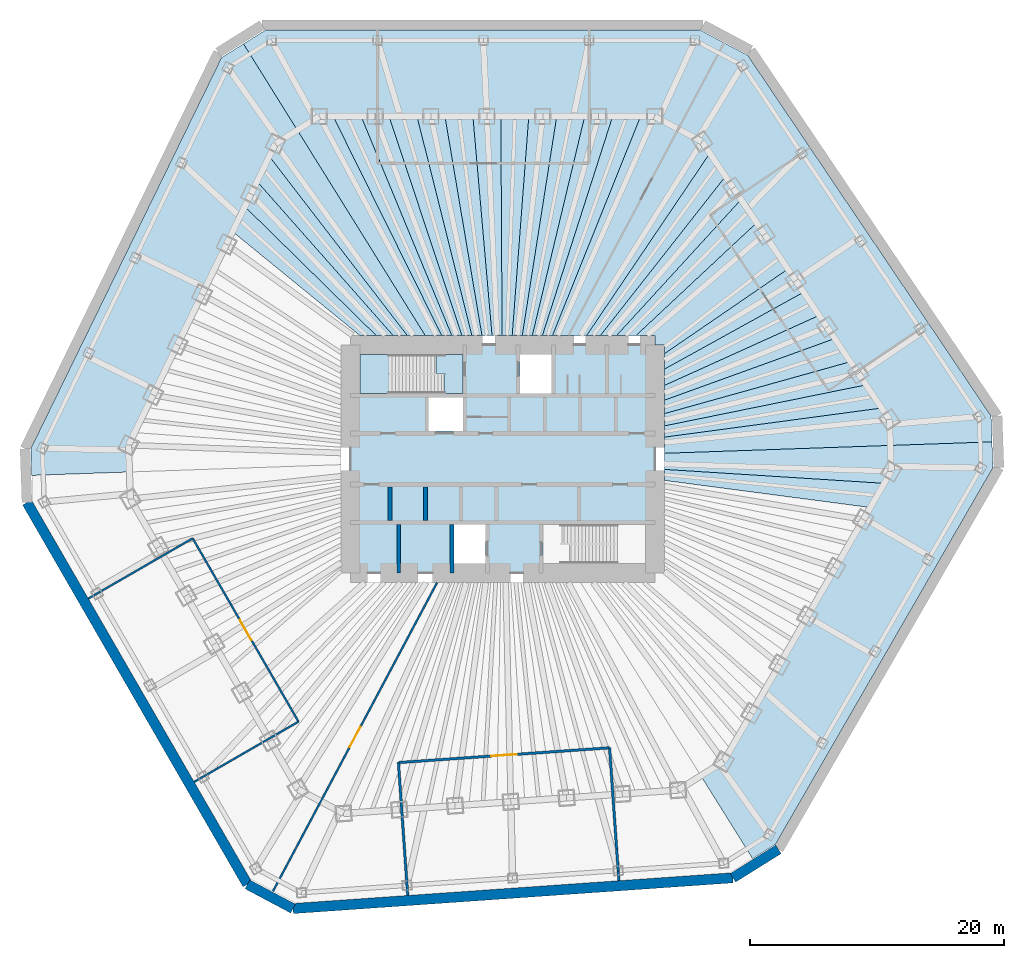
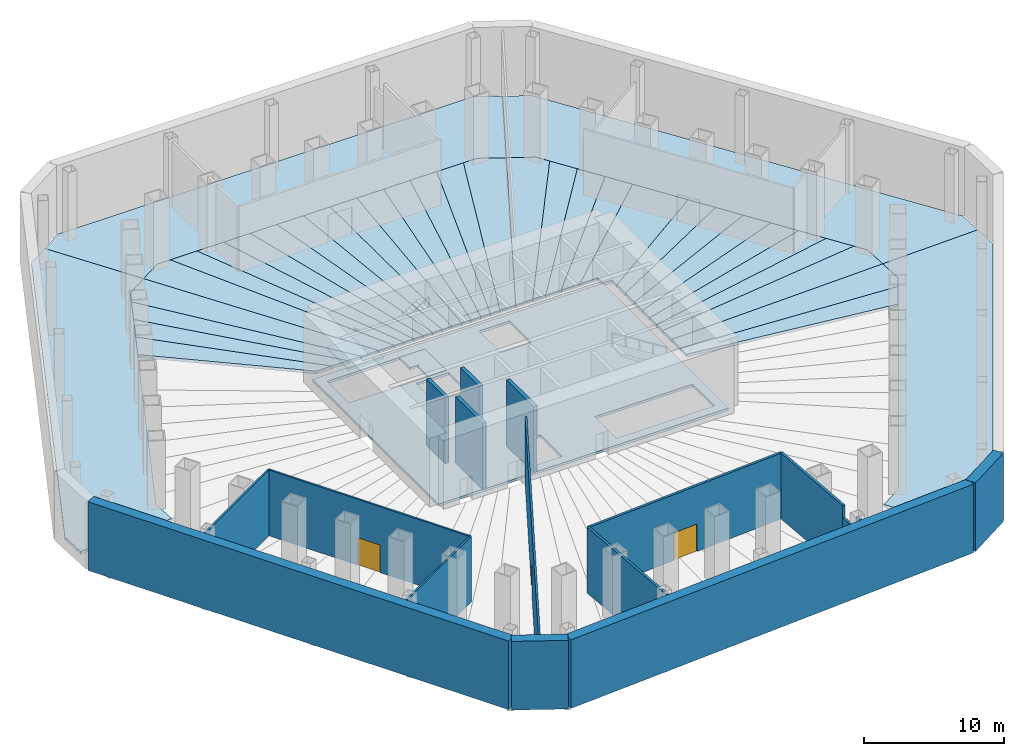
# One storey, part 5 of 8: 38 slabs, 17 walls, 3 doors, 3 openings, 1 element without a shape of its own.
"""IFC4 building model written with IfcOpenShell, lengths in metres."""

from ifc_helpers import new_model, si_unit, direction, frame, frame_2d, origin, place, context, subcontext, project, spatial, polyline, rectangle, outline, extrude, material, layer, layer_set, type_object, element, fill, aggregate, save


model = new_model("IFC4")

# Units and contexts
model_context = context("Model", 3, precision=1e-05, world=origin(), true_north=direction((0.0, 1.0)))
body_context = subcontext(model_context, "Body", "Model", "MODEL_VIEW")
ifc_project = project(units=[si_unit("LENGTHUNIT", "METRE"), si_unit("AREAUNIT", "SQUARE_METRE"), si_unit("VOLUMEUNIT", "CUBIC_METRE"), si_unit("PLANEANGLEUNIT", "RADIAN"), si_unit("MASSUNIT", "GRAM", prefix="KILO")], contexts=[model_context])

# Site, building, storey
site_placement = place(None, origin())
site = spatial("IfcSite", under=ifc_project, at=site_placement, CompositionType="ELEMENT")
building_placement = place(site_placement, origin())
building = spatial("IfcBuilding", under=site, at=building_placement, Name="Qingtian Harvest Tower", CompositionType="ELEMENT")
storey_placement = place(building_placement, frame((0.0, 0.0, -6.0)))
storey = spatial("IfcBuildingStorey", under=building, at=storey_placement, Name="B1", CompositionType="ELEMENT", Elevation=-6.0)

# Slabs
ifc_material_1 = material(Name="Concrete fc' 35 MPa", Category="concrete")
ifc_layer_1 = layer(ifc_material_1, 0.25)
ifc_layer_set_1 = layer_set([ifc_layer_1], Name="Composite floor slab FS25 250")
slab_type_1 = type_object("IfcSlabType", Name="Composite floor slab FS25 250", PredefinedType="FLOOR", material=ifc_layer_set_1)
slab_1_placement = place(storey_placement, frame((0.0, 0.0, -0.25)))
element("IfcSlab", 1, at=slab_1_placement, inside=storey, type_object=slab_type_1, Name="Floor slab B1 panel DPN", PredefinedType="FLOOR", context=body_context, shape_type="SweptSolid", body=[
    extrude(outline(polyline([(15.57177734375, 33.800048828125), (17.44287109375, 32.80517578125), (13.8271484375, 26.005126953125), (11.9560546875, 27.0), (-14.471435546875, 27.0), (-16.197509765625, 25.92138671875), (-20.446533203125, 32.721435546875), (-18.720703125, 33.800048828125), (15.57177734375, 33.800048828125)])), origin(), (0.0, 0.0, 1.0), 0.25),
])
slab_2_placement = place(storey_placement, frame((0.0, 0.0, -0.25)))
element("IfcSlab", 2, at=slab_2_placement, inside=storey, type_object=slab_type_1, Name="Floor slab B1 panel DPNE", PredefinedType="FLOOR", context=body_context, shape_type="SweptSolid", body=[
    extrude(outline(polyline([(30.54736328125, 1.066650390625), (30.476318359375, 3.100830078125), (15.6982421875, 25.01025390625), (13.8271484375, 26.005126953125), (17.44287109375, 32.80517578125), (19.313720703125, 31.810302734375), (38.489990234375, 3.380615234375), (38.56103515625, 1.3466796875), (30.54736328125, 1.066650390625)])), origin(), (0.0, 0.0, 1.0), 0.25),
])
slab_3_placement = place(storey_placement, frame((0.0, 0.0, -0.25)))
element("IfcSlab", 3, at=slab_3_placement, inside=storey, type_object=slab_type_1, Name="Floor slab B1 panel DPSE", PredefinedType="FLOOR", context=body_context, shape_type="SweptSolid", body=[
    extrude(outline(polyline([(19.688720703125, -31.508544921875), (15.607421875, -24.977294921875), (17.404541015625, -23.854248046875), (30.618408203125, -0.96728515625), (30.54736328125, 1.066650390625), (38.56103515625, 1.3466796875), (38.6318359375, -0.6875), (21.48583984375, -30.385498046875), (19.688720703125, -31.508544921875)])), origin(), (0.0, 0.0, 1.0), 0.25),
])
slab_4_placement = place(storey_placement, frame((0.0, 0.0, -0.25)))
element("IfcSlab", 4, at=slab_4_placement, inside=storey, type_object=slab_type_1, Name="Floor slab B1 panel DPNW", PredefinedType="FLOOR", context=body_context, shape_type="SweptSolid", body=[
    extrude(outline(polyline([(-20.446533203125, 32.721435546875), (-16.197509765625, 25.92138671875), (-17.923583984375, 24.8427734375), (-29.5087890625, 1.08984375), (-29.434814453125, -1.02783203125), (-37.131591796875, -1.296630859375), (-37.20556640625, 0.821044921875), (-22.172607421875, 31.642822265625), (-20.446533203125, 32.721435546875)])), origin(), (0.0, 0.0, 1.0), 0.25),
])
slab_5_placement = place(storey_placement, frame((0.0, 0.0, -0.25)))
element("IfcSlab", 5, at=slab_5_placement, inside=storey, type_object=slab_type_1, Name="Floor slab B1 panel D38", PredefinedType="FLOOR", context=body_context, shape_type="SweptSolid", body=[
    extrude(outline(polyline([(12.75, -0.822265625), (30.06787109375, -1.9208984375), (28.966796875, -3.828125), (12.75, -1.693603515625), (12.75, -0.822265625)])), origin(), (0.0, 0.0, 1.0), 0.25),
])
slab_6_placement = place(storey_placement, frame((0.0, 0.0, -0.25)))
element("IfcSlab", 6, at=slab_6_placement, inside=storey, type_object=slab_type_1, Name="Floor slab B1 panel D39", PredefinedType="FLOOR", context=body_context, shape_type="SweptSolid", body=[
    extrude(outline(polyline([(12.75, -0.822265625), (12.75, 0.447265625), (30.54736328125, 1.066650390625), (30.618408203125, -0.96728515625), (30.06787109375, -1.9208984375), (12.75, -0.822265625)])), origin(), (0.0, 0.0, 1.0), 0.25),
])
slab_7_placement = place(storey_placement, frame((0.0, 0.0, -0.25)))
element("IfcSlab", 7, at=slab_7_placement, inside=storey, type_object=slab_type_1, Name="Floor slab B1 panel D40", PredefinedType="FLOOR", context=body_context, shape_type="SweptSolid", body=[
    extrude(outline(polyline([(12.75, 0.447265625), (12.75, 1.72265625), (29.860595703125, 4.013671875), (30.476318359375, 3.100830078125), (30.54736328125, 1.066650390625), (12.75, 0.447265625)])), origin(), (0.0, 0.0, 1.0), 0.25),
])
slab_8_placement = place(storey_placement, frame((0.0, 0.0, -0.25)))
element("IfcSlab", 8, at=slab_8_placement, inside=storey, type_object=slab_type_1, Name="Floor slab B1 panel D41", PredefinedType="FLOOR", context=body_context, shape_type="SweptSolid", body=[
    extrude(outline(polyline([(12.75, 2.610595703125), (28.629150390625, 5.839599609375), (29.860595703125, 4.013671875), (12.75, 1.72265625), (12.75, 2.610595703125)])), origin(), (0.0, 0.0, 1.0), 0.25),
])
slab_9_placement = place(storey_placement, frame((0.0, 0.0, -0.25)))
element("IfcSlab", 9, at=slab_9_placement, inside=storey, type_object=slab_type_1, Name="Floor slab B1 panel D42", PredefinedType="FLOOR", context=body_context, shape_type="SweptSolid", body=[
    extrude(outline(polyline([(12.75, 3.57861328125), (27.3974609375, 7.665283203125), (28.629150390625, 5.839599609375), (12.75, 2.610595703125), (12.75, 3.57861328125)])), origin(), (0.0, 0.0, 1.0), 0.25),
])
slab_10_placement = place(storey_placement, frame((0.0, 0.0, -0.25)))
element("IfcSlab", 10, at=slab_10_placement, inside=storey, type_object=slab_type_1, Name="Floor slab B1 panel D43", PredefinedType="FLOOR", context=body_context, shape_type="SweptSolid", body=[
    extrude(outline(polyline([(12.75, 4.6376953125), (26.166015625, 9.490966796875), (27.3974609375, 7.665283203125), (12.75, 3.57861328125), (12.75, 4.6376953125)])), origin(), (0.0, 0.0, 1.0), 0.25),
])
slab_11_placement = place(storey_placement, frame((0.0, 0.0, -0.25)))
element("IfcSlab", 11, at=slab_11_placement, inside=storey, type_object=slab_type_1, Name="Floor slab B1 panel D44", PredefinedType="FLOOR", context=body_context, shape_type="SweptSolid", body=[
    extrude(outline(polyline([(12.75, 5.8017578125), (24.9345703125, 11.31689453125), (26.166015625, 9.490966796875), (12.75, 4.6376953125), (12.75, 5.8017578125)])), origin(), (0.0, 0.0, 1.0), 0.25),
])
slab_12_placement = place(storey_placement, frame((0.0, 0.0, -0.25)))
element("IfcSlab", 12, at=slab_12_placement, inside=storey, type_object=slab_type_1, Name="Floor slab B1 panel D45", PredefinedType="FLOOR", context=body_context, shape_type="SweptSolid", body=[
    extrude(outline(polyline([(12.75, 7.087158203125), (23.703125, 13.142578125), (24.9345703125, 11.31689453125), (12.75, 5.8017578125), (12.75, 7.087158203125)])), origin(), (0.0, 0.0, 1.0), 0.25),
])
slab_13_placement = place(storey_placement, frame((0.0, 0.0, -0.25)))
element("IfcSlab", 13, at=slab_13_placement, inside=storey, type_object=slab_type_1, Name="Floor slab B1 panel D46", PredefinedType="FLOOR", context=body_context, shape_type="SweptSolid", body=[
    extrude(outline(polyline([(12.75, 8.30615234375), (22.471435546875, 14.968505859375), (23.703125, 13.142578125), (12.75, 7.087158203125), (12.75, 8.30615234375)])), origin(), (0.0, 0.0, 1.0), 0.25),
])
slab_14_placement = place(storey_placement, frame((0.0, 0.0, -0.25)))
element("IfcSlab", 14, at=slab_14_placement, inside=storey, type_object=slab_type_1, Name="Floor slab B1 panel D48", PredefinedType="FLOOR", context=body_context, shape_type="SweptSolid", body=[
    extrude(outline(polyline([(20.008544921875, 18.6201171875), (22.471435546875, 14.968505859375), (12.75, 8.30615234375), (12.75, 9.0), (12.0, 9.0), (12.0, 9.75), (10.51806640625, 9.75), (20.008544921875, 18.6201171875)])), origin(), (0.0, 0.0, 1.0), 0.25),
])
slab_15_placement = place(storey_placement, frame((0.0, 0.0, -0.25)))
element("IfcSlab", 15, at=slab_15_placement, inside=storey, type_object=slab_type_1, Name="Floor slab B1 panel D49", PredefinedType="FLOOR", context=body_context, shape_type="SweptSolid", body=[
    extrude(outline(polyline([(8.985107421875, 9.75), (18.777099609375, 20.44580078125), (20.008544921875, 18.6201171875), (10.51806640625, 9.75), (8.985107421875, 9.75)])), origin(), (0.0, 0.0, 1.0), 0.25),
])
slab_16_placement = place(storey_placement, frame((0.0, 0.0, -0.25)))
element("IfcSlab", 16, at=slab_16_placement, inside=storey, type_object=slab_type_1, Name="Floor slab B1 panel D50", PredefinedType="FLOOR", context=body_context, shape_type="SweptSolid", body=[
    extrude(outline(polyline([(7.705078125, 9.75), (17.54541015625, 22.271728515625), (18.777099609375, 20.44580078125), (8.985107421875, 9.75), (7.705078125, 9.75)])), origin(), (0.0, 0.0, 1.0), 0.25),
])
slab_17_placement = place(storey_placement, frame((0.0, 0.0, -0.25)))
element("IfcSlab", 17, at=slab_17_placement, inside=storey, type_object=slab_type_1, Name="Floor slab B1 panel D51", PredefinedType="FLOOR", context=body_context, shape_type="SweptSolid", body=[
    extrude(outline(polyline([(6.61962890625, 9.75), (16.31396484375, 24.097412109375), (17.54541015625, 22.271728515625), (7.705078125, 9.75), (6.61962890625, 9.75)])), origin(), (0.0, 0.0, 1.0), 0.25),
])
slab_18_placement = place(storey_placement, frame((0.0, 0.0, -0.25)))
element("IfcSlab", 18, at=slab_18_placement, inside=storey, type_object=slab_type_1, Name="Floor slab B1 panel D52", PredefinedType="FLOOR", context=body_context, shape_type="SweptSolid", body=[
    extrude(outline(polyline([(6.61962890625, 9.75), (5.21875, 9.75), (13.8271484375, 26.005126953125), (15.6982421875, 25.01025390625), (16.31396484375, 24.097412109375), (6.61962890625, 9.75)])), origin(), (0.0, 0.0, 1.0), 0.25),
])
slab_19_placement = place(storey_placement, frame((0.0, 0.0, -0.25)))
element("IfcSlab", 19, at=slab_19_placement, inside=storey, type_object=slab_type_1, Name="Floor slab B1 panel D53", PredefinedType="FLOOR", context=body_context, shape_type="SweptSolid", body=[
    extrude(outline(polyline([(3.919921875, 9.75), (10.85498046875, 27.0), (11.9560546875, 27.0), (13.8271484375, 26.005126953125), (5.21875, 9.75), (3.919921875, 9.75)])), origin(), (0.0, 0.0, 1.0), 0.25),
])
slab_20_placement = place(storey_placement, frame((0.0, 0.0, -0.25)))
element("IfcSlab", 20, at=slab_20_placement, inside=storey, type_object=slab_type_1, Name="Floor slab B1 panel D54", PredefinedType="FLOOR", context=body_context, shape_type="SweptSolid", body=[
    extrude(outline(polyline([(3.12451171875, 9.75), (8.652587890625, 27.0), (10.85498046875, 27.0), (3.919921875, 9.75), (3.12451171875, 9.75)])), origin(), (0.0, 0.0, 1.0), 0.25),
])
slab_21_placement = place(storey_placement, frame((0.0, 0.0, -0.25)))
element("IfcSlab", 21, at=slab_21_placement, inside=storey, type_object=slab_type_1, Name="Floor slab B1 panel D55", PredefinedType="FLOOR", context=body_context, shape_type="SweptSolid", body=[
    extrude(outline(polyline([(2.329345703125, 9.75), (6.450439453125, 27.0), (8.652587890625, 27.0), (3.12451171875, 9.75), (2.329345703125, 9.75)])), origin(), (0.0, 0.0, 1.0), 0.25),
])
slab_22_placement = place(storey_placement, frame((0.0, 0.0, -0.25)))
element("IfcSlab", 22, at=slab_22_placement, inside=storey, type_object=slab_type_1, Name="Floor slab B1 panel D56", PredefinedType="FLOOR", context=body_context, shape_type="SweptSolid", body=[
    extrude(outline(polyline([(1.533935546875, 9.75), (4.248046875, 27.0), (6.450439453125, 27.0), (2.329345703125, 9.75), (1.533935546875, 9.75)])), origin(), (0.0, 0.0, 1.0), 0.25),
])
slab_23_placement = place(storey_placement, frame((0.0, 0.0, -0.25)))
element("IfcSlab", 23, at=slab_23_placement, inside=storey, type_object=slab_type_1, Name="Floor slab B1 panel D57", PredefinedType="FLOOR", context=body_context, shape_type="SweptSolid", body=[
    extrude(outline(polyline([(0.73876953125, 9.75), (2.0458984375, 27.0), (4.248046875, 27.0), (1.533935546875, 9.75), (0.73876953125, 9.75)])), origin(), (0.0, 0.0, 1.0), 0.25),
])
slab_24_placement = place(storey_placement, frame((0.0, 0.0, -0.25)))
element("IfcSlab", 24, at=slab_24_placement, inside=storey, type_object=slab_type_1, Name="Floor slab B1 panel D58", PredefinedType="FLOOR", context=body_context, shape_type="SweptSolid", body=[
    extrude(outline(polyline([(-0.056396484375, 9.75), (-0.156494140625, 27.0), (2.0458984375, 27.0), (0.73876953125, 9.75), (-0.056396484375, 9.75)])), origin(), (0.0, 0.0, 1.0), 0.25),
])
slab_25_placement = place(storey_placement, frame((0.0, 0.0, -0.25)))
element("IfcSlab", 25, at=slab_25_placement, inside=storey, type_object=slab_type_1, Name="Floor slab B1 panel D59", PredefinedType="FLOOR", context=body_context, shape_type="SweptSolid", body=[
    extrude(outline(polyline([(-0.851806640625, 9.75), (-2.35888671875, 27.0), (-0.156494140625, 27.0), (-0.056396484375, 9.75), (-0.851806640625, 9.75)])), origin(), (0.0, 0.0, 1.0), 0.25),
])
slab_26_placement = place(storey_placement, frame((0.0, 0.0, -0.25)))
element("IfcSlab", 26, at=slab_26_placement, inside=storey, type_object=slab_type_1, Name="Floor slab B1 panel D60", PredefinedType="FLOOR", context=body_context, shape_type="SweptSolid", body=[
    extrude(outline(polyline([(-1.64697265625, 9.75), (-4.56103515625, 27.0), (-2.35888671875, 27.0), (-0.851806640625, 9.75), (-1.64697265625, 9.75)])), origin(), (0.0, 0.0, 1.0), 0.25),
])
slab_27_placement = place(storey_placement, frame((0.0, 0.0, -0.25)))
element("IfcSlab", 27, at=slab_27_placement, inside=storey, type_object=slab_type_1, Name="Floor slab B1 panel D61", PredefinedType="FLOOR", context=body_context, shape_type="SweptSolid", body=[
    extrude(outline(polyline([(-2.4423828125, 9.75), (-6.763427734375, 27.0), (-4.56103515625, 27.0), (-1.64697265625, 9.75), (-2.4423828125, 9.75)])), origin(), (0.0, 0.0, 1.0), 0.25),
])
slab_28_placement = place(storey_placement, frame((0.0, 0.0, -0.25)))
element("IfcSlab", 28, at=slab_28_placement, inside=storey, type_object=slab_type_1, Name="Floor slab B1 panel D62", PredefinedType="FLOOR", context=body_context, shape_type="SweptSolid", body=[
    extrude(outline(polyline([(-3.237548828125, 9.75), (-8.9658203125, 27.0), (-6.763427734375, 27.0), (-2.4423828125, 9.75), (-3.237548828125, 9.75)])), origin(), (0.0, 0.0, 1.0), 0.25),
])
slab_29_placement = place(storey_placement, frame((0.0, 0.0, -0.25)))
element("IfcSlab", 29, at=slab_29_placement, inside=storey, type_object=slab_type_1, Name="Floor slab B1 panel D63", PredefinedType="FLOOR", context=body_context, shape_type="SweptSolid", body=[
    extrude(outline(polyline([(-4.032958984375, 9.75), (-11.16796875, 27.0), (-8.9658203125, 27.0), (-3.237548828125, 9.75), (-4.032958984375, 9.75)])), origin(), (0.0, 0.0, 1.0), 0.25),
])
slab_30_placement = place(storey_placement, frame((0.0, 0.0, -0.25)))
element("IfcSlab", 30, at=slab_30_placement, inside=storey, type_object=slab_type_1, Name="Floor slab B1 panel D64", PredefinedType="FLOOR", context=body_context, shape_type="SweptSolid", body=[
    extrude(outline(polyline([(-4.828125, 9.75), (-13.370361328125, 27.0), (-11.16796875, 27.0), (-4.032958984375, 9.75), (-4.828125, 9.75)])), origin(), (0.0, 0.0, 1.0), 0.25),
])
slab_31_placement = place(storey_placement, frame((0.0, 0.0, -0.25)))
element("IfcSlab", 31, at=slab_31_placement, inside=storey, type_object=slab_type_1, Name="Floor slab B1 panel D65", PredefinedType="FLOOR", context=body_context, shape_type="SweptSolid", body=[
    extrude(outline(polyline([(-4.828125, 9.75), (-6.130126953125, 9.75), (-16.197509765625, 25.92138671875), (-14.471435546875, 27.0), (-13.370361328125, 27.0), (-4.828125, 9.75)])), origin(), (0.0, 0.0, 1.0), 0.25),
])
slab_32_placement = place(storey_placement, frame((0.0, 0.0, -0.25)))
element("IfcSlab", 32, at=slab_32_placement, inside=storey, type_object=slab_type_1, Name="Floor slab B1 panel D66", PredefinedType="FLOOR", context=body_context, shape_type="SweptSolid", body=[
    extrude(outline(polyline([(-6.130126953125, 9.75), (-7.544677734375, 9.75), (-18.40625, 23.853271484375), (-17.923583984375, 24.8427734375), (-16.197509765625, 25.92138671875), (-6.130126953125, 9.75)])), origin(), (0.0, 0.0, 1.0), 0.25),
])
slab_33_placement = place(storey_placement, frame((0.0, 0.0, -0.25)))
element("IfcSlab", 33, at=slab_33_placement, inside=storey, type_object=slab_type_1, Name="Floor slab B1 panel D67", PredefinedType="FLOOR", context=body_context, shape_type="SweptSolid", body=[
    extrude(outline(polyline([(-8.662109375, 9.75), (-19.37158203125, 21.873779296875), (-18.40625, 23.853271484375), (-7.544677734375, 9.75), (-8.662109375, 9.75)])), origin(), (0.0, 0.0, 1.0), 0.25),
])
slab_34_placement = place(storey_placement, frame((0.0, 0.0, -0.25)))
element("IfcSlab", 34, at=slab_34_placement, inside=storey, type_object=slab_type_1, Name="Floor slab B1 panel D68", PredefinedType="FLOOR", context=body_context, shape_type="SweptSolid", body=[
    extrude(outline(polyline([(-10.00341796875, 9.75), (-20.337158203125, 19.894287109375), (-19.37158203125, 21.873779296875), (-8.662109375, 9.75), (-10.00341796875, 9.75)])), origin(), (0.0, 0.0, 1.0), 0.25),
])
slab_35_placement = place(storey_placement, frame((0.0, 0.0, -0.25)))
element("IfcSlab", 35, at=slab_35_placement, inside=storey, type_object=slab_type_1, Name="Floor slab B1 panel D69", PredefinedType="FLOOR", context=body_context, shape_type="SweptSolid", body=[
    extrude(outline(polyline([(-11.2939453125, 9.75), (-21.302490234375, 17.9150390625), (-20.337158203125, 19.894287109375), (-10.00341796875, 9.75), (-11.2939453125, 9.75)])), origin(), (0.0, 0.0, 1.0), 0.25),
])
ifc_material_2 = material(Name="Concrete fc' 35 MPa", Category="concrete")
ifc_layer_2 = layer(ifc_material_2, 0.219970703125)
ifc_layer_set_2 = layer_set([ifc_layer_2], Name="Core floor slab CS22 220")
slab_type_2 = type_object("IfcSlabType", Name="Core floor slab CS22 220", PredefinedType="FLOOR", material=ifc_layer_set_2)
slab_36_placement = place(storey_placement, frame((0.0, 0.0, -0.219970703125)))
element("IfcSlab", 36, at=slab_36_placement, inside=storey, type_object=slab_type_2, Name="Core floor slab B1", PredefinedType="FLOOR", context=body_context, shape_type="SweptSolid", body=[
    extrude(outline(polyline([(-12.0, -9.0), (12.0, -9.0), (12.0, 9.0), (-12.0, 9.0), (-12.0, -9.0)]), holes=[polyline([(-11.25, 5.14990234375), (-3.14990234375, 5.14990234375), (-3.14990234375, 8.25), (-11.25, 8.25), (-11.25, 5.14990234375)]), polyline([(3.14990234375, -8.25), (11.25, -8.25), (11.25, -5.14990234375), (3.14990234375, -5.14990234375), (3.14990234375, -8.25)]), polyline([(1.35009765625, 5.14990234375), (3.85009765625, 5.14990234375), (3.85009765625, 8.25), (1.35009765625, 8.25), (1.35009765625, 5.14990234375)]), polyline([(-3.85009765625, -8.25), (-1.35009765625, -8.25), (-1.35009765625, -5.14990234375), (-3.85009765625, -5.14990234375), (-3.85009765625, -8.25)]), polyline([(-5.85009765625, 2.199951171875), (-3.14990234375, 2.199951171875), (-3.14990234375, 4.85009765625), (-5.85009765625, 4.85009765625), (-5.85009765625, 2.199951171875)])]), origin(), (0.0, 0.0, 1.0), 0.219970703125),
])

# Stair, slabs
ifc_material_3 = material(Name="Concrete fc' 35 MPa", Category="concrete")
stair_type = type_object("IfcStairType", Name="Special stair ST1 6000", PredefinedType="HALF_TURN_STAIR", material=ifc_material_3)
stair_placement = place(storey_placement, origin())
stair = element("IfcStair", 37, at=stair_placement, inside=storey, type_object=stair_type, Name="Special stair S1 B1", PredefinedType="HALF_TURN_STAIR")
ifc_material_4 = material(Name="Concrete fc' 35 MPa", Category="concrete")
ifc_layer_3 = layer(ifc_material_4, 0.199951171875)
ifc_layer_set_3 = layer_set([ifc_layer_3], Name="Stair landing SL2 200")
slab_type_3 = type_object("IfcSlabType", Name="Stair landing SL2 200", PredefinedType="LANDING", material=ifc_layer_set_3)
slab_37_placement = place(storey_placement, frame((0.0, 0.0, -0.199951171875)))
slab_37 = element("IfcSlab", 38, at=slab_37_placement, type_object=slab_type_3, Name="S1 landing 1", PredefinedType="LANDING", context=body_context, shape_type="SweptSolid", body=[
    extrude(outline(polyline([(-4.64990234375, 5.14990234375), (-4.64990234375, 6.64990234375), (-4.550048828125, 6.64990234375), (-4.550048828125, 6.75), (-5.260009765625, 6.75), (-5.260009765625, 8.25), (-3.14990234375, 8.25), (-3.14990234375, 5.14990234375), (-4.64990234375, 5.14990234375)])), origin(), (0.0, 0.0, 1.0), 0.199951171875),
])
slab_38_placement = place(storey_placement, frame((0.0, 0.0, 2.800048828125)))
slab_38 = element("IfcSlab", 39, at=slab_38_placement, type_object=slab_type_3, Name="S1 landing 2", PredefinedType="LANDING", context=body_context, shape_type="SweptSolid", body=[
    extrude(outline(polyline([(-8.320068359375, 5.14990234375), (-11.25, 5.14990234375), (-11.25, 8.25), (-8.929931640625, 8.25), (-8.929931640625, 6.75), (-9.030029296875, 6.75), (-9.030029296875, 6.64990234375), (-8.320068359375, 6.64990234375), (-8.320068359375, 5.14990234375)])), origin(), (0.0, 0.0, 1.0), 0.199951171875),
])
aggregate(stair, [slab_37, slab_38])

# Walls
ifc_material_5 = material(Name="Concrete fc' 42 MPa", Category="concrete")
ifc_layer_4 = layer(ifc_material_5, 0.800048828125)
ifc_layer_set_4 = layer_set([ifc_layer_4], Name="Basement retaining wall RW1 800")
wall_type_1 = type_object("IfcWallType", Name="Basement retaining wall RW1 800", PredefinedType="SHEAR", material=ifc_layer_set_4)
wall_1_placement = place(storey_placement, frame((21.725830078125, -30.769775390625, 0.0), z_axis=(0.0, 0.0, 1.0), x_axis=(-0.848056550838, -0.529905733675, 0.0)))
element("IfcWall", 40, at=wall_1_placement, inside=storey, type_object=wall_type_1, Name="Retaining wall RW1 B1 6", PredefinedType="SHEAR", context=body_context, shape_type="SweptSolid", body=[
    extrude(rectangle(XDim=4.23828125, YDim=0.800048828125, at=frame_2d((2.119140625, 0.0))), origin(), (0.0, 0.0, 1.0), 6.0),
])
wall_2_placement = place(storey_placement, frame((18.131591796875, -33.015625, 0.0), z_axis=(0.0, 0.0, 1.0), x_axis=(-0.997564165932, -0.069754819538, 0.0)))
element("IfcWall", 41, at=wall_2_placement, inside=storey, type_object=wall_type_1, Name="Retaining wall RW1 B1 7", PredefinedType="SHEAR", context=body_context, shape_type="SweptSolid", body=[
    extrude(rectangle(XDim=34.7548828125, YDim=0.800048828125, at=frame_2d((17.37744140625, 0.0))), origin(), (0.0, 0.0, 1.0), 6.0),
])
wall_3_placement = place(storey_placement, frame((-16.53857421875, -35.43994140625, 0.0), z_axis=(0.0, 0.0, 1.0), x_axis=(-0.882968133669, 0.469432929101, 0.0)))
element("IfcWall", 42, at=wall_3_placement, inside=storey, type_object=wall_type_1, Name="Retaining wall RW1 B1 8", PredefinedType="SHEAR", context=body_context, shape_type="SweptSolid", body=[
    extrude(rectangle(XDim=4.070556640625, YDim=0.800048828125, at=frame_2d((2.03515625, 0.0))), origin(), (0.0, 0.0, 1.0), 6.0),
])
wall_4_placement = place(storey_placement, frame((-20.1328125, -33.529052734375, 0.0), z_axis=(0.0, 0.0, 1.0), x_axis=(-0.499996691743, 0.866027313799, 0.0)))
element("IfcWall", 43, at=wall_4_placement, inside=storey, type_object=wall_type_1, Name="Retaining wall RW1 B1 9", PredefinedType="SHEAR", context=body_context, shape_type="SweptSolid", body=[
    extrude(rectangle(XDim=34.755126953125, YDim=0.800048828125, at=frame_2d((17.37744140625, 0.0))), origin(), (0.0, 0.0, 1.0), 6.0),
])
ifc_material_6 = material(Name="Precast concrete shaft panel", Category="concrete")
ifc_layer_5 = layer(ifc_material_6, 0.300048828125)
ifc_layer_set_5 = layer_set([ifc_layer_5], Name="Core shaft partition SW1 300")
wall_type_2 = type_object("IfcWallType", Name="Core shaft partition SW1 300", PredefinedType="PARTITIONING", material=ifc_layer_set_5)
for number, where, z_axis, x_axis, name in (
    (44, (-8.89990234375, -4.85009765625, 0.0), (0.0, 0.0, 1.0), (0.0, 1.0, 0.0), "Core shaft partition XB1 B1"),
    (45, (-6.10009765625, -4.85009765625, 0.0), (0.0, 0.0, 1.0), (0.0, 1.0, 0.0), "Core shaft partition XB2 B1"),
):
    element("IfcWall", number, at=place(storey_placement, frame(where, z_axis=z_axis, x_axis=x_axis)), inside=storey, type_object=wall_type_2, Name=name, PredefinedType="PARTITIONING", context=body_context, shape_type="SweptSolid", body=[
        extrude(rectangle(XDim=2.650146484375, YDim=0.300048828125, at=frame_2d((1.3251953125, 0.0))), origin(), (0.0, 0.0, 1.0), 5.780029296875),
    ])
for number, where, z_axis, x_axis, name in (
    (46, (-8.199951171875, -9.0, 0.0), (0.0, 0.0, 1.0), (0.0, 1.0, 0.0), "Core shaft partition XS1 B1"),
    (47, (-4.0, -9.0, 0.0), (0.0, 0.0, 1.0), (0.0, 1.0, 0.0), "Core shaft partition XS2 B1"),
):
    element("IfcWall", number, at=place(storey_placement, frame(where, z_axis=z_axis, x_axis=x_axis)), inside=storey, type_object=wall_type_2, Name=name, PredefinedType="PARTITIONING", context=body_context, shape_type="SweptSolid", body=[
        extrude(rectangle(XDim=3.85009765625, YDim=0.300048828125, at=frame_2d((1.925048828125, 0.0))), origin(), (0.0, 0.0, 1.0), 5.780029296875),
    ])
ifc_material_7 = material(Name="Blockwork fire wall", Category="masonry")
ifc_layer_6 = layer(ifc_material_7, 0.199951171875)
ifc_layer_set_6 = layer_set([ifc_layer_6], Name="Fire partition FW1 200")
wall_type_3 = type_object("IfcWallType", Name="Fire partition FW1 200", PredefinedType="PARTITIONING", material=ifc_layer_set_6)
wall_5_placement = place(storey_placement, frame((9.145751953125, -33.242919921875, 0.0), z_axis=(0.0, 0.0, 1.0), x_axis=(-0.069554756913, 0.997578135181, 0.0)))
element("IfcWall", 48, at=wall_5_placement, inside=storey, type_object=wall_type_3, Name="Refuse room wall B1", PredefinedType="PARTITIONING", context=body_context, shape_type="SweptSolid", body=[
    extrude(rectangle(XDim=0.779296875, YDim=0.199951171875, at=frame_2d((0.3896484375, 0.0))), origin(), (0.0, 0.0, 1.0), 5.75),
])
wall_6_placement = place(storey_placement, frame((-7.4970703125, -34.40673828125, 0.0), z_axis=(0.0, 0.0, 1.0), x_axis=(-0.069754853754, 0.997564163539, 0.0)))
element("IfcWall", 49, at=wall_6_placement, inside=storey, type_object=wall_type_3, Name="Refuse room wall B1", PredefinedType="PARTITIONING", context=body_context, shape_type="SweptSolid", body=[
    extrude(rectangle(XDim=10.5, YDim=0.199951171875, at=frame_2d((5.25, 0.0))), origin(), (0.0, 0.0, 1.0), 5.75),
])

# Wall, opening, door
wall_7_placement = place(storey_placement, frame((8.413330078125, -22.7685546875, 0.0), z_axis=(0.0, 0.0, 1.0), x_axis=(-0.997563888187, -0.069758791459, 0.0)))
wall_7 = element("IfcWall", 50, at=wall_7_placement, inside=storey, type_object=wall_type_3, Name="Refuse room wall B1", PredefinedType="PARTITIONING", context=body_context, shape_type="SweptSolid", body=[
    extrude(rectangle(XDim=16.683349609375, YDim=0.199951171875, at=frame_2d((8.341796875, 0.0))), origin(), (0.0, 0.0, 1.0), 5.75),
])
opening_1_placement = place(wall_7_placement, frame((7.341796875, 0.0, 0.0)))
opening_1 = element("IfcOpeningElement", 51, at=opening_1_placement, cuts=wall_7, Name="Opening FD3", PredefinedType="OPENING", context=body_context, shape_type="SweptSolid", body=[
    extrude(rectangle(XDim=2.0, YDim=2.39990234375, at=frame_2d((1.0, 1.199951171875))), frame((0.0, 0.10986328125, 0.0), z_axis=(0.0, -1.0, 0.0), x_axis=(1.0, 0.0, 0.0)), (0.0, 0.0, 1.0), 0.219970703125),
])
ifc_material_8 = material(Name="Steel-faced door leaf", Category="steel")
door_type_1 = type_object("IfcDoorType", Name="Fire door FD3 double 2 HR", OperationType="DOUBLE_DOOR_DOUBLE_SWING", PredefinedType="DOOR", material=ifc_material_8)
door_1_placement = place(opening_1_placement, origin())
door_1 = element("IfcDoor", 52, at=door_1_placement, inside=storey, type_object=door_type_1, Name="Refuse room door B1", OperationType="DOUBLE_DOOR_DOUBLE_SWING", OverallHeight=2.39990234375, OverallWidth=2.0, PredefinedType="DOOR", context=body_context, shape_type="SweptSolid", body=[
    extrude(rectangle(XDim=2.0, YDim=2.39990234375, at=frame_2d((1.0, 1.199951171875))), frame((0.0, 0.02490234375, 0.0), z_axis=(0.0, -1.0, 0.0), x_axis=(1.0, 0.0, 0.0)), (0.0, 0.0, 1.0), 0.050048828125),
])
fill(opening_1, door_1)

# Walls
wall_8_placement = place(storey_placement, frame((9.091552734375, -32.465576171875, 0.0), z_axis=(0.0, 0.0, 1.0), x_axis=(-0.069873717935, 0.997555844824, 0.0)))
element("IfcWall", 53, at=wall_8_placement, inside=storey, type_object=wall_type_3, Name="Refuse room wall B1", PredefinedType="PARTITIONING", context=body_context, shape_type="SweptSolid", body=[
    extrude(rectangle(XDim=1.743408203125, YDim=0.199951171875, at=frame_2d((0.87158203125, 0.0))), origin(), (0.0, 0.0, 1.0), 4.64990234375),
])
wall_9_placement = place(storey_placement, frame((8.9697265625, -30.726318359375, 0.0), z_axis=(0.0, 0.0, 1.0), x_axis=(-0.069748420123, 0.997564613391, 0.0)))
element("IfcWall", 54, at=wall_9_placement, inside=storey, type_object=wall_type_3, Name="Refuse room wall B1", PredefinedType="PARTITIONING", context=body_context, shape_type="SweptSolid", body=[
    extrude(rectangle(XDim=7.977294921875, YDim=0.199951171875, at=frame_2d((3.98876953125, 0.0))), origin(), (0.0, 0.0, 1.0), 5.75),
])
ifc_material_9 = material(Name="Gypsum board on steel studs", Category="steel")
ifc_layer_7 = layer(ifc_material_9, 0.14990234375)
ifc_layer_set_7 = layer_set([ifc_layer_7], Name="Partition PT1 150")
wall_type_4 = type_object("IfcWallType", Name="Partition PT1 150", PredefinedType="PARTITIONING", material=ifc_layer_set_7)
for number, where, z_axis, x_axis, name in (
    (55, (-24.332275390625, -25.455322265625, 0.0), (0.0, 0.0, 1.0), (0.86602681393, 0.499997557548, 0.0), "Packaging store wall B1"),
    (56, (-32.674072265625, -11.007080078125, 0.0), (0.0, 0.0, 1.0), (0.86602681393, 0.499997557548, 0.0), "Packaging store wall B1"),
):
    element("IfcWall", number, at=place(storey_placement, frame(where, z_axis=z_axis, x_axis=x_axis)), inside=storey, type_object=wall_type_4, Name=name, PredefinedType="PARTITIONING", context=body_context, shape_type="SweptSolid", body=[
        extrude(rectangle(XDim=9.5, YDim=0.14990234375, at=frame_2d((4.75, 0.0))), origin(), (0.0, 0.0, 1.0), 5.75),
    ])

# Wall, opening, door
wall_10_placement = place(storey_placement, frame((-16.10498046875, -20.705322265625, 0.0), z_axis=(0.0, 0.0, 1.0), x_axis=(-0.500004511595, 0.866022798998, 0.0)))
wall_10 = element("IfcWall", 57, at=wall_10_placement, inside=storey, type_object=wall_type_4, Name="Packaging store wall B1", PredefinedType="PARTITIONING", context=body_context, shape_type="SweptSolid", body=[
    extrude(rectangle(XDim=16.683349609375, YDim=0.14990234375, at=frame_2d((8.341796875, 0.0))), origin(), (0.0, 0.0, 1.0), 5.75),
])
opening_2_placement = place(wall_10_placement, frame((7.44189453125, 0.0, 0.0)))
opening_2 = element("IfcOpeningElement", 58, at=opening_2_placement, cuts=wall_10, Name="Opening D3", PredefinedType="OPENING", context=body_context, shape_type="SweptSolid", body=[
    extrude(rectangle(XDim=1.800048828125, YDim=2.39990234375, at=frame_2d((0.89990234375, 1.199951171875))), frame((0.0, 0.0849609375, 0.0), z_axis=(0.0, -1.0, 0.0), x_axis=(1.0, 0.0, 0.0)), (0.0, 0.0, 1.0), 0.169921875),
])
ifc_material_10 = material(Name="Laminated timber door leaf", Category="wood")
door_type_2 = type_object("IfcDoorType", Name="Room door D3 double", OperationType="DOUBLE_DOOR_DOUBLE_SWING", PredefinedType="DOOR", material=ifc_material_10)
door_2_placement = place(opening_2_placement, origin())
door_2 = element("IfcDoor", 59, at=door_2_placement, inside=storey, type_object=door_type_2, Name="Packaging store door B1", OperationType="DOUBLE_DOOR_DOUBLE_SWING", OverallHeight=2.39990234375, OverallWidth=1.800048828125, PredefinedType="DOOR", context=body_context, shape_type="SweptSolid", body=[
    extrude(rectangle(XDim=1.800048828125, YDim=2.39990234375, at=frame_2d((0.89990234375, 1.199951171875))), frame((0.0, 0.02490234375, 0.0), z_axis=(0.0, -1.0, 0.0), x_axis=(1.0, 0.0, 0.0)), (0.0, 0.0, 1.0), 0.050048828125),
])
fill(opening_2, door_2)

wall_11_placement = place(storey_placement, frame((-5.18408203125, -9.75, 0.0), z_axis=(0.0, 0.0, 1.0), x_axis=(-0.469470342993, -0.882948241433, 0.0)))
wall_11 = element("IfcWall", 60, at=wall_11_placement, inside=storey, type_object=wall_type_4, Name="Hall dividing wall B1", PredefinedType="PARTITIONING", context=body_context, shape_type="SweptSolid", body=[
    extrude(rectangle(XDim=27.5654296875, YDim=0.14990234375, at=frame_2d((13.78271484375, 0.0))), origin(), (0.0, 0.0, 1.0), 5.75),
])
opening_3_placement = place(wall_11_placement, frame((12.8828125, 0.0, 0.0)))
opening_3 = element("IfcOpeningElement", 61, at=opening_3_placement, cuts=wall_11, Name="Opening D3", PredefinedType="OPENING", context=body_context, shape_type="SweptSolid", body=[
    extrude(rectangle(XDim=1.800048828125, YDim=2.39990234375, at=frame_2d((0.89990234375, 1.199951171875))), frame((0.0, 0.0849609375, 0.0), z_axis=(0.0, -1.0, 0.0), x_axis=(1.0, 0.0, 0.0)), (0.0, 0.0, 1.0), 0.169921875),
])
door_3_placement = place(opening_3_placement, origin())
door_3 = element("IfcDoor", 62, at=door_3_placement, inside=storey, type_object=door_type_2, Name="Hall door B1", OperationType="DOUBLE_DOOR_DOUBLE_SWING", OverallHeight=2.39990234375, OverallWidth=1.800048828125, PredefinedType="DOOR", context=body_context, shape_type="SweptSolid", body=[
    extrude(rectangle(XDim=1.800048828125, YDim=2.39990234375, at=frame_2d((0.89990234375, 1.199951171875))), frame((0.0, 0.02490234375, 0.0), z_axis=(0.0, -1.0, 0.0), x_axis=(1.0, 0.0, 0.0)), (0.0, 0.0, 1.0), 0.050048828125),
])
fill(opening_3, door_3)

save(model, "model.ifc")
